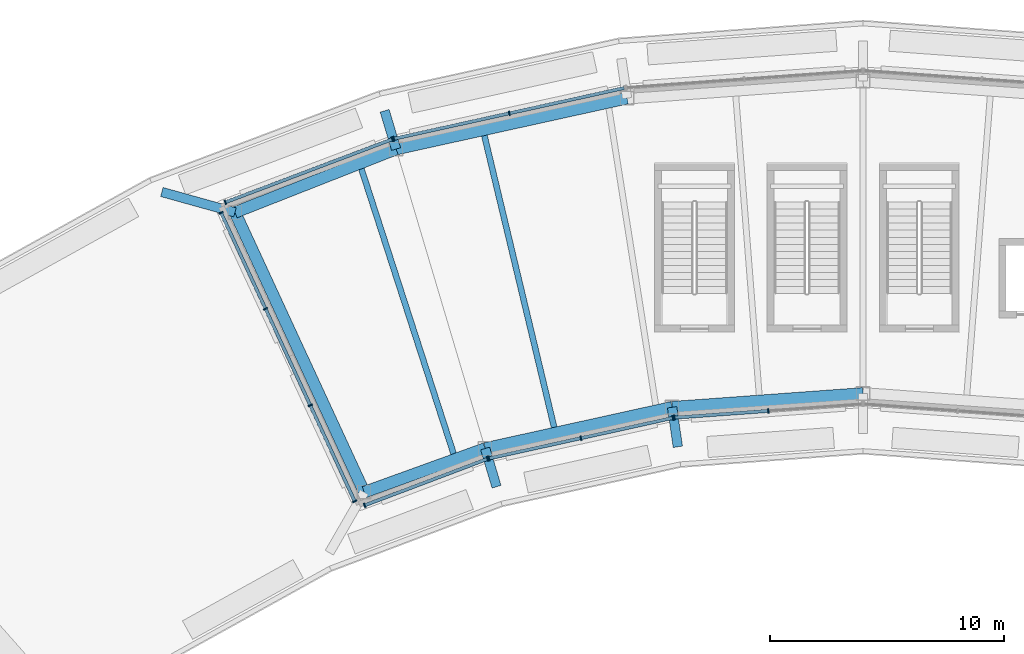
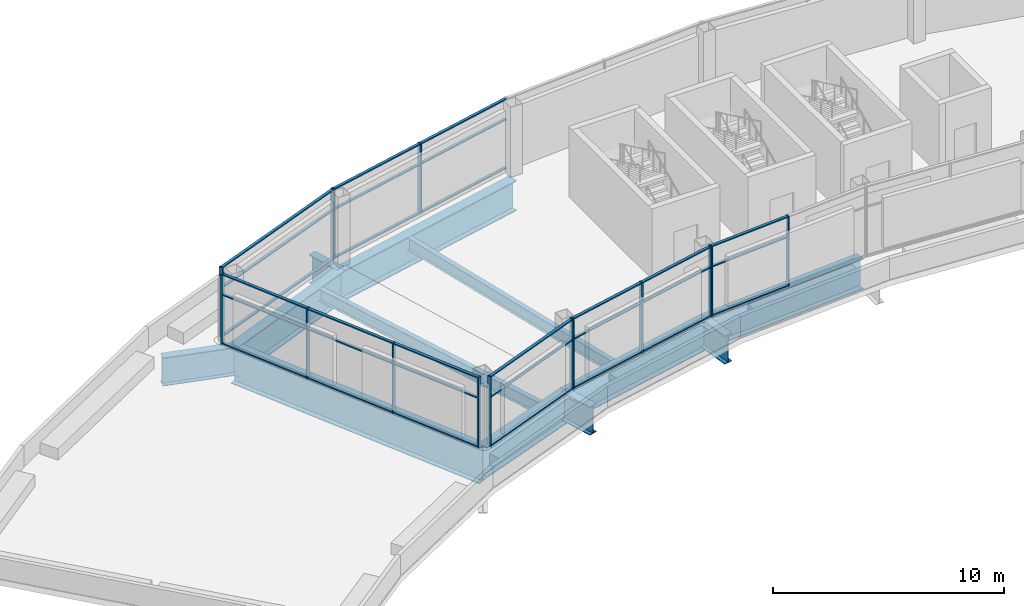
# One storey, part 2 of 9: 45 members, 12 beams, 6 elements without a shape of their own.
"""IFC4 building model written with IfcOpenShell, lengths in metres."""

from ifc_helpers import new_model, si_unit, direction, frame, origin, origin_2d, place, context, subcontext, project, spatial, rectangle, i_section, extrude, material, layer, layer_set, material_profile, profile_set, type_object, element, aggregate, save


model = new_model("IFC4")

# Units and contexts
model_context = context("Model", 3, precision=1e-05, world=origin(), true_north=direction((0.0, 1.0)))
body_context = subcontext(model_context, "Body", "Model", "MODEL_VIEW")
ifc_project = project(units=[si_unit("LENGTHUNIT", "METRE"), si_unit("AREAUNIT", "SQUARE_METRE"), si_unit("VOLUMEUNIT", "CUBIC_METRE"), si_unit("PLANEANGLEUNIT", "RADIAN"), si_unit("MASSUNIT", "GRAM", prefix="KILO")], contexts=[model_context])

# Site, building, storey
site_placement = place(None, origin())
site = spatial("IfcSite", under=ifc_project, at=site_placement, CompositionType="ELEMENT")
building_placement = place(site_placement, origin())
building = spatial("IfcBuilding", under=site, at=building_placement, Name="Tuul Gate Civic Tower", CompositionType="ELEMENT")
storey_placement = place(building_placement, frame((0.0, 0.0, 368.10009765625)))
storey = spatial("IfcBuildingStorey", under=building, at=storey_placement, Name="Crown tier 2 lower", CompositionType="ELEMENT", Elevation=368.10009765625)

# Curtain wall, members
ifc_material_1 = material(Name="Aluminium", Category="aluminium")
ifc_layer = layer(ifc_material_1, 0.199951171875)
ifc_layer_set = layer_set([ifc_layer], Name="Aluminium")
curtain_wall_type = type_object("IfcCurtainWallType", Name="Curtain wall CW5", PredefinedType="NOTDEFINED", material=ifc_layer_set)
curtain_wall_1_placement = place(storey_placement, origin())
curtain_wall_1 = element("IfcCurtainWall", 1, at=curtain_wall_1_placement, inside=storey, type_object=curtain_wall_type, Name="Curtain wall CW5", PredefinedType="NOTDEFINED")
ifc_material_2 = material(Name="Aluminium", Category="aluminium")
ifc_material_profile_1 = material_profile(ifc_material_2, rectangle(XDim=0.199951171875, YDim=0.06005859375, at=origin_2d()), Name="CW5 mullion")
ifc_profile_set_1 = profile_set([ifc_material_profile_1], Name="Aluminium")
member_type_1 = type_object("IfcMemberType", Name="CW5 mullion", PredefinedType="MULLION", material=ifc_profile_set_1)
member_1_placement = place(storey_placement, frame((-12.906982421875, 8.4404296875, 0.0), z_axis=(0.0, 0.0, 1.0), x_axis=(0.215210934562, -0.976567587853, 0.0)))
member_1 = element("IfcMember", 2, at=member_1_placement, type_object=member_type_1, Name="Mullion", PredefinedType="MULLION", context=body_context, shape_type="SweptSolid", body=[
    extrude(rectangle(XDim=0.199951171875, YDim=0.06005859375, at=origin_2d()), origin(), (0.0, 0.0, 1.0), 3.699951171875),
])
member_2_placement = place(storey_placement, frame((-17.839599609375, 7.353515625, 0.0), z_axis=(0.0, 0.0, 1.0), x_axis=(0.215210934562, -0.976567587853, 0.0)))
member_2 = element("IfcMember", 3, at=member_2_placement, type_object=member_type_1, Name="Mullion", PredefinedType="MULLION", context=body_context, shape_type="SweptSolid", body=[
    extrude(rectangle(XDim=0.199951171875, YDim=0.06005859375, at=origin_2d()), origin(), (0.0, 0.0, 1.0), 3.699951171875),
])

curtain_wall_2_placement = place(storey_placement, origin())
curtain_wall_2 = element("IfcCurtainWall", 4, at=curtain_wall_2_placement, inside=storey, type_object=curtain_wall_type, Name="Curtain wall CW5", PredefinedType="NOTDEFINED")
member_3_placement = place(storey_placement, frame((-17.89697265625, 7.33642578125, 0.0), z_axis=(0.0, 0.0, 1.0), x_axis=(0.353645993643, -0.935379340792, 0.0)))
member_3 = element("IfcMember", 5, at=member_3_placement, type_object=member_type_1, Name="Mullion", PredefinedType="MULLION", context=body_context, shape_type="SweptSolid", body=[
    extrude(rectangle(XDim=0.199951171875, YDim=0.06005859375, at=origin_2d()), origin(), (0.0, 0.0, 1.0), 3.699951171875),
])
member_4_placement = place(storey_placement, frame((-25.030029296875, 4.6396484375, 0.0), z_axis=(0.0, 0.0, 1.0), x_axis=(0.353645993643, -0.935379340792, 0.0)))
member_4 = element("IfcMember", 6, at=member_4_placement, type_object=member_type_1, Name="Mullion", PredefinedType="MULLION", context=body_context, shape_type="SweptSolid", body=[
    extrude(rectangle(XDim=0.199951171875, YDim=0.06005859375, at=origin_2d()), origin(), (0.0, 0.0, 1.0), 3.699951171875),
])

curtain_wall_3_placement = place(storey_placement, origin())
curtain_wall_3 = element("IfcCurtainWall", 7, at=curtain_wall_3_placement, inside=storey, type_object=curtain_wall_type, Name="Curtain wall CW5", PredefinedType="NOTDEFINED")
member_5_placement = place(storey_placement, frame((-25.21142578125, 4.19482421875, 0.0), z_axis=(0.0, 0.0, 1.0), x_axis=(0.90734881659, 0.420378549682, 0.0)))
member_5 = element("IfcMember", 8, at=member_5_placement, type_object=member_type_1, Name="Mullion", PredefinedType="MULLION", context=body_context, shape_type="SweptSolid", body=[
    extrude(rectangle(XDim=0.199951171875, YDim=0.06005859375, at=origin_2d()), origin(), (0.0, 0.0, 1.0), 3.699951171875),
])
member_6_placement = place(storey_placement, frame((-23.313232421875, 0.097900390625, 0.0), z_axis=(0.0, 0.0, 1.0), x_axis=(0.90734881659, 0.420378549682, 0.0)))
member_6 = element("IfcMember", 9, at=member_6_placement, type_object=member_type_1, Name="Mullion", PredefinedType="MULLION", context=body_context, shape_type="SweptSolid", body=[
    extrude(rectangle(XDim=0.199951171875, YDim=0.06005859375, at=origin_2d()), origin(), (0.0, 0.0, 1.0), 3.699951171875),
])
member_7_placement = place(storey_placement, frame((-21.402587890625, -4.02587890625, 0.0), z_axis=(0.0, 0.0, 1.0), x_axis=(0.90734881659, 0.420378549682, 0.0)))
member_7 = element("IfcMember", 10, at=member_7_placement, type_object=member_type_1, Name="Mullion", PredefinedType="MULLION", context=body_context, shape_type="SweptSolid", body=[
    extrude(rectangle(XDim=0.199951171875, YDim=0.06005859375, at=origin_2d()), origin(), (0.0, 0.0, 1.0), 3.699951171875),
])
member_8_placement = place(storey_placement, frame((-19.504638671875, -8.122802734375, 0.0), z_axis=(0.0, 0.0, 1.0), x_axis=(0.90734881659, 0.420378549682, 0.0)))
member_8 = element("IfcMember", 11, at=member_8_placement, type_object=member_type_1, Name="Mullion", PredefinedType="MULLION", context=body_context, shape_type="SweptSolid", body=[
    extrude(rectangle(XDim=0.199951171875, YDim=0.06005859375, at=origin_2d()), origin(), (0.0, 0.0, 1.0), 3.699951171875),
])

curtain_wall_4_placement = place(storey_placement, origin())
curtain_wall_4 = element("IfcCurtainWall", 12, at=curtain_wall_4_placement, inside=storey, type_object=curtain_wall_type, Name="Curtain wall CW5", PredefinedType="NOTDEFINED")
member_9_placement = place(storey_placement, frame((-19.0859375, -8.29443359375, 0.0), z_axis=(0.0, 0.0, 1.0), x_axis=(-0.353692000454, 0.935361945353, 0.0)))
member_9 = element("IfcMember", 13, at=member_9_placement, type_object=member_type_1, Name="Mullion", PredefinedType="MULLION", context=body_context, shape_type="SweptSolid", body=[
    extrude(rectangle(XDim=0.199951171875, YDim=0.06005859375, at=origin_2d()), origin(), (0.0, 0.0, 1.0), 3.699951171875),
])
member_10_placement = place(storey_placement, frame((-13.837158203125, -6.3095703125, 0.0), z_axis=(0.0, 0.0, 1.0), x_axis=(-0.353692000454, 0.935361945353, 0.0)))
member_10 = element("IfcMember", 14, at=member_10_placement, type_object=member_type_1, Name="Mullion", PredefinedType="MULLION", context=body_context, shape_type="SweptSolid", body=[
    extrude(rectangle(XDim=0.199951171875, YDim=0.06005859375, at=origin_2d()), origin(), (0.0, 0.0, 1.0), 3.699951171875),
])

curtain_wall_5_placement = place(storey_placement, origin())
curtain_wall_5 = element("IfcCurtainWall", 15, at=curtain_wall_5_placement, inside=storey, type_object=curtain_wall_type, Name="Curtain wall CW5", PredefinedType="NOTDEFINED")
member_11_placement = place(storey_placement, frame((-13.77978515625, -6.29248046875, 0.0), z_axis=(0.0, 0.0, 1.0), x_axis=(-0.215271253351, 0.976554293156, 0.0)))
member_11 = element("IfcMember", 16, at=member_11_placement, type_object=member_type_1, Name="Mullion", PredefinedType="MULLION", context=body_context, shape_type="SweptSolid", body=[
    extrude(rectangle(XDim=0.199951171875, YDim=0.06005859375, at=origin_2d()), origin(), (0.0, 0.0, 1.0), 3.699951171875),
])
member_12_placement = place(storey_placement, frame((-9.85107421875, -5.426513671875, 0.0), z_axis=(0.0, 0.0, 1.0), x_axis=(-0.215271253351, 0.976554293156, 0.0)))
member_12 = element("IfcMember", 17, at=member_12_placement, type_object=member_type_1, Name="Mullion", PredefinedType="MULLION", context=body_context, shape_type="SweptSolid", body=[
    extrude(rectangle(XDim=0.199951171875, YDim=0.06005859375, at=origin_2d()), origin(), (0.0, 0.0, 1.0), 3.699951171875),
])
member_13_placement = place(storey_placement, frame((-5.92236328125, -4.560546875, 0.0), z_axis=(0.0, 0.0, 1.0), x_axis=(-0.215271253351, 0.976554293156, 0.0)))
member_13 = element("IfcMember", 18, at=member_13_placement, type_object=member_type_1, Name="Mullion", PredefinedType="MULLION", context=body_context, shape_type="SweptSolid", body=[
    extrude(rectangle(XDim=0.199951171875, YDim=0.06005859375, at=origin_2d()), origin(), (0.0, 0.0, 1.0), 3.699951171875),
])

curtain_wall_6_placement = place(storey_placement, origin())
curtain_wall_6 = element("IfcCurtainWall", 19, at=curtain_wall_6_placement, inside=storey, type_object=curtain_wall_type, Name="Curtain wall CW5", PredefinedType="NOTDEFINED")
member_14_placement = place(storey_placement, frame((-5.863037109375, -4.5517578125, 0.0), z_axis=(0.0, 0.0, 1.0), x_axis=(-0.072167548057, 0.997392523036, 0.0)))
member_14 = element("IfcMember", 20, at=member_14_placement, type_object=member_type_1, Name="Mullion", PredefinedType="MULLION", context=body_context, shape_type="SweptSolid", body=[
    extrude(rectangle(XDim=0.199951171875, YDim=0.06005859375, at=origin_2d()), origin(), (0.0, 0.0, 1.0), 3.699951171875),
])
member_15_placement = place(storey_placement, frame((-1.8505859375, -4.261474609375, 0.0), z_axis=(0.0, 0.0, 1.0), x_axis=(-0.072167548057, 0.997392523036, 0.0)))
member_15 = element("IfcMember", 21, at=member_15_placement, type_object=member_type_1, Name="Mullion", PredefinedType="MULLION", context=body_context, shape_type="SweptSolid", body=[
    extrude(rectangle(XDim=0.199951171875, YDim=0.06005859375, at=origin_2d()), origin(), (0.0, 0.0, 1.0), 3.699951171875),
])

# Member
ifc_material_3 = material(Name="Aluminium", Category="aluminium")
ifc_material_profile_2 = material_profile(ifc_material_3, rectangle(XDim=0.139892578125, YDim=0.06005859375, at=origin_2d()), Name="CW5 transom")
ifc_profile_set_2 = profile_set([ifc_material_profile_2], Name="Aluminium")
member_type_2 = type_object("IfcMemberType", Name="CW5 transom", PredefinedType="USERDEFINED", material=ifc_profile_set_2)
member_16_placement = place(storey_placement, frame((-8.003662109375, 9.52099609375, 0.02978515625), z_axis=(-0.976573380509, -0.215184647408, 0.0), x_axis=(0.215184647408, -0.976573380509, 0.0)))
member_16 = element("IfcMember", 22, at=member_16_placement, type_object=member_type_2, Name="Transom", ObjectType="TRANSOM", PredefinedType="USERDEFINED", context=body_context, shape_type="SweptSolid", body=[
    extrude(rectangle(XDim=0.139892578125, YDim=0.06005859375, at=origin_2d()), origin(), (0.0, 0.0, 1.0), 4.990966796875),
])

member_17_placement = place(storey_placement, frame((-8.003662109375, 9.52099609375, 2.599853515625), z_axis=(-0.976573380509, -0.215184647408, 0.0), x_axis=(0.215184647408, -0.976573380509, 0.0)))
member_17 = element("IfcMember", 23, at=member_17_placement, type_object=member_type_2, Name="Transom", ObjectType="TRANSOM", PredefinedType="USERDEFINED", context=body_context, shape_type="SweptSolid", body=[
    extrude(rectangle(XDim=0.139892578125, YDim=0.06005859375, at=origin_2d()), origin(), (0.0, 0.0, 1.0), 4.990966796875),
])

member_18_placement = place(storey_placement, frame((-8.003662109375, 9.52099609375, 3.669921875), z_axis=(-0.976573380509, -0.215184647408, 0.0), x_axis=(0.215184647408, -0.976573380509, 0.0)))
member_18 = element("IfcMember", 24, at=member_18_placement, type_object=member_type_2, Name="Transom", ObjectType="TRANSOM", PredefinedType="USERDEFINED", context=body_context, shape_type="SweptSolid", body=[
    extrude(rectangle(XDim=0.139892578125, YDim=0.06005859375, at=origin_2d()), origin(), (0.0, 0.0, 1.0), 4.990966796875),
])

member_19_placement = place(storey_placement, frame((-12.936279296875, 8.43408203125, 0.02978515625), z_axis=(-0.976563099968, -0.21523129833, 0.0), x_axis=(0.21523129833, -0.976563099968, 0.0)))
member_19 = element("IfcMember", 25, at=member_19_placement, type_object=member_type_2, Name="Transom", ObjectType="TRANSOM", PredefinedType="USERDEFINED", context=body_context, shape_type="SweptSolid", body=[
    extrude(rectangle(XDim=0.139892578125, YDim=0.06005859375, at=origin_2d()), origin(), (0.0, 0.0, 1.0), 4.990966796875),
])

member_20_placement = place(storey_placement, frame((-12.936279296875, 8.43408203125, 2.599853515625), z_axis=(-0.976563099968, -0.21523129833, 0.0), x_axis=(0.21523129833, -0.976563099968, 0.0)))
member_20 = element("IfcMember", 26, at=member_20_placement, type_object=member_type_2, Name="Transom", ObjectType="TRANSOM", PredefinedType="USERDEFINED", context=body_context, shape_type="SweptSolid", body=[
    extrude(rectangle(XDim=0.139892578125, YDim=0.06005859375, at=origin_2d()), origin(), (0.0, 0.0, 1.0), 4.990966796875),
])

member_21_placement = place(storey_placement, frame((-12.936279296875, 8.43408203125, 3.669921875), z_axis=(-0.976563099968, -0.21523129833, 0.0), x_axis=(0.21523129833, -0.976563099968, 0.0)))
member_21 = element("IfcMember", 27, at=member_21_placement, type_object=member_type_2, Name="Transom", ObjectType="TRANSOM", PredefinedType="USERDEFINED", context=body_context, shape_type="SweptSolid", body=[
    extrude(rectangle(XDim=0.139892578125, YDim=0.06005859375, at=origin_2d()), origin(), (0.0, 0.0, 1.0), 4.990966796875),
])

aggregate(curtain_wall_1, [member_1, member_2, member_16, member_17, member_18, member_19, member_20, member_21])

member_22_placement = place(storey_placement, frame((-17.925048828125, 7.32568359375, 0.02978515625), z_axis=(-0.935382926589, -0.35363650921, 0.0), x_axis=(0.35363650921, -0.935382926589, 0.0)))
member_22 = element("IfcMember", 28, at=member_22_placement, type_object=member_type_2, Name="Transom", ObjectType="TRANSOM", PredefinedType="USERDEFINED", context=body_context, shape_type="SweptSolid", body=[
    extrude(rectangle(XDim=0.139892578125, YDim=0.06005859375, at=origin_2d()), origin(), (0.0, 0.0, 1.0), 7.565673828125),
])

member_23_placement = place(storey_placement, frame((-17.925048828125, 7.32568359375, 2.599853515625), z_axis=(-0.935382926589, -0.35363650921, 0.0), x_axis=(0.35363650921, -0.935382926589, 0.0)))
member_23 = element("IfcMember", 29, at=member_23_placement, type_object=member_type_2, Name="Transom", ObjectType="TRANSOM", PredefinedType="USERDEFINED", context=body_context, shape_type="SweptSolid", body=[
    extrude(rectangle(XDim=0.139892578125, YDim=0.06005859375, at=origin_2d()), origin(), (0.0, 0.0, 1.0), 7.565673828125),
])

member_24_placement = place(storey_placement, frame((-17.925048828125, 7.32568359375, 3.669921875), z_axis=(-0.935382926589, -0.35363650921, 0.0), x_axis=(0.35363650921, -0.935382926589, 0.0)))
member_24 = element("IfcMember", 30, at=member_24_placement, type_object=member_type_2, Name="Transom", ObjectType="TRANSOM", PredefinedType="USERDEFINED", context=body_context, shape_type="SweptSolid", body=[
    extrude(rectangle(XDim=0.139892578125, YDim=0.06005859375, at=origin_2d()), origin(), (0.0, 0.0, 1.0), 7.565673828125),
])

aggregate(curtain_wall_2, [member_3, member_4, member_22, member_23, member_24])

member_25_placement = place(storey_placement, frame((-25.19873046875, 4.16748046875, 0.02978515625), z_axis=(0.420381787955, -0.907347316278, 0.0), x_axis=(0.907347316278, 0.420381787955, 0.0)))
member_25 = element("IfcMember", 31, at=member_25_placement, type_object=member_type_2, Name="Transom", ObjectType="TRANSOM", PredefinedType="USERDEFINED", context=body_context, shape_type="SweptSolid", body=[
    extrude(rectangle(XDim=0.139892578125, YDim=0.06005859375, at=origin_2d()), origin(), (0.0, 0.0, 1.0), 4.455078125),
])

member_26_placement = place(storey_placement, frame((-25.19873046875, 4.16748046875, 2.599853515625), z_axis=(0.420381787955, -0.907347316278, 0.0), x_axis=(0.907347316278, 0.420381787955, 0.0)))
member_26 = element("IfcMember", 32, at=member_26_placement, type_object=member_type_2, Name="Transom", ObjectType="TRANSOM", PredefinedType="USERDEFINED", context=body_context, shape_type="SweptSolid", body=[
    extrude(rectangle(XDim=0.139892578125, YDim=0.06005859375, at=origin_2d()), origin(), (0.0, 0.0, 1.0), 4.455078125),
])

member_27_placement = place(storey_placement, frame((-25.19873046875, 4.16748046875, 3.669921875), z_axis=(0.420381787955, -0.907347316278, 0.0), x_axis=(0.907347316278, 0.420381787955, 0.0)))
member_27 = element("IfcMember", 33, at=member_27_placement, type_object=member_type_2, Name="Transom", ObjectType="TRANSOM", PredefinedType="USERDEFINED", context=body_context, shape_type="SweptSolid", body=[
    extrude(rectangle(XDim=0.139892578125, YDim=0.06005859375, at=origin_2d()), origin(), (0.0, 0.0, 1.0), 4.455078125),
])

member_28_placement = place(storey_placement, frame((-23.30078125, 0.07080078125, 0.02978515625), z_axis=(0.420386692356, -0.90734504401, 0.0), x_axis=(0.90734504401, 0.420386692356, 0.0)))
member_28 = element("IfcMember", 34, at=member_28_placement, type_object=member_type_2, Name="Transom", ObjectType="TRANSOM", PredefinedType="USERDEFINED", context=body_context, shape_type="SweptSolid", body=[
    extrude(rectangle(XDim=0.139892578125, YDim=0.06005859375, at=origin_2d()), origin(), (0.0, 0.0, 1.0), 4.485107421875),
])

member_29_placement = place(storey_placement, frame((-23.30078125, 0.07080078125, 2.599853515625), z_axis=(0.420386692356, -0.90734504401, 0.0), x_axis=(0.90734504401, 0.420386692356, 0.0)))
member_29 = element("IfcMember", 35, at=member_29_placement, type_object=member_type_2, Name="Transom", ObjectType="TRANSOM", PredefinedType="USERDEFINED", context=body_context, shape_type="SweptSolid", body=[
    extrude(rectangle(XDim=0.139892578125, YDim=0.06005859375, at=origin_2d()), origin(), (0.0, 0.0, 1.0), 4.485107421875),
])

member_30_placement = place(storey_placement, frame((-23.30078125, 0.07080078125, 3.669921875), z_axis=(0.420386692356, -0.90734504401, 0.0), x_axis=(0.90734504401, 0.420386692356, 0.0)))
member_30 = element("IfcMember", 36, at=member_30_placement, type_object=member_type_2, Name="Transom", ObjectType="TRANSOM", PredefinedType="USERDEFINED", context=body_context, shape_type="SweptSolid", body=[
    extrude(rectangle(XDim=0.139892578125, YDim=0.06005859375, at=origin_2d()), origin(), (0.0, 0.0, 1.0), 4.485107421875),
])

member_31_placement = place(storey_placement, frame((-21.39013671875, -4.05322265625, 0.02978515625), z_axis=(0.420381787955, -0.907347316278, 0.0), x_axis=(0.907347316278, 0.420381787955, 0.0)))
member_31 = element("IfcMember", 37, at=member_31_placement, type_object=member_type_2, Name="Transom", ObjectType="TRANSOM", PredefinedType="USERDEFINED", context=body_context, shape_type="SweptSolid", body=[
    extrude(rectangle(XDim=0.139892578125, YDim=0.06005859375, at=origin_2d()), origin(), (0.0, 0.0, 1.0), 4.455078125),
])

member_32_placement = place(storey_placement, frame((-21.39013671875, -4.05322265625, 2.599853515625), z_axis=(0.420381787955, -0.907347316278, 0.0), x_axis=(0.907347316278, 0.420381787955, 0.0)))
member_32 = element("IfcMember", 38, at=member_32_placement, type_object=member_type_2, Name="Transom", ObjectType="TRANSOM", PredefinedType="USERDEFINED", context=body_context, shape_type="SweptSolid", body=[
    extrude(rectangle(XDim=0.139892578125, YDim=0.06005859375, at=origin_2d()), origin(), (0.0, 0.0, 1.0), 4.455078125),
])

member_33_placement = place(storey_placement, frame((-21.39013671875, -4.05322265625, 3.669921875), z_axis=(0.420381787955, -0.907347316278, 0.0), x_axis=(0.907347316278, 0.420381787955, 0.0)))
member_33 = element("IfcMember", 39, at=member_33_placement, type_object=member_type_2, Name="Transom", ObjectType="TRANSOM", PredefinedType="USERDEFINED", context=body_context, shape_type="SweptSolid", body=[
    extrude(rectangle(XDim=0.139892578125, YDim=0.06005859375, at=origin_2d()), origin(), (0.0, 0.0, 1.0), 4.455078125),
])

aggregate(curtain_wall_3, [member_5, member_6, member_7, member_8, member_25, member_26, member_27, member_28, member_29, member_30, member_31, member_32, member_33])

member_34_placement = place(storey_placement, frame((-19.057861328125, -8.28369140625, 0.02978515625), z_axis=(0.935369635265, 0.353671663304, 0.0), x_axis=(-0.353671663304, 0.935369635265, 0.0)))
member_34 = element("IfcMember", 40, at=member_34_placement, type_object=member_type_2, Name="Transom", ObjectType="TRANSOM", PredefinedType="USERDEFINED", context=body_context, shape_type="SweptSolid", body=[
    extrude(rectangle(XDim=0.139892578125, YDim=0.06005859375, at=origin_2d()), origin(), (0.0, 0.0, 1.0), 5.551513671875),
])

member_35_placement = place(storey_placement, frame((-19.057861328125, -8.28369140625, 2.599853515625), z_axis=(0.935369635265, 0.353671663304, 0.0), x_axis=(-0.353671663304, 0.935369635265, 0.0)))
member_35 = element("IfcMember", 41, at=member_35_placement, type_object=member_type_2, Name="Transom", ObjectType="TRANSOM", PredefinedType="USERDEFINED", context=body_context, shape_type="SweptSolid", body=[
    extrude(rectangle(XDim=0.139892578125, YDim=0.06005859375, at=origin_2d()), origin(), (0.0, 0.0, 1.0), 5.551513671875),
])

member_36_placement = place(storey_placement, frame((-19.057861328125, -8.28369140625, 3.669921875), z_axis=(0.935369635265, 0.353671663304, 0.0), x_axis=(-0.353671663304, 0.935369635265, 0.0)))
member_36 = element("IfcMember", 42, at=member_36_placement, type_object=member_type_2, Name="Transom", ObjectType="TRANSOM", PredefinedType="USERDEFINED", context=body_context, shape_type="SweptSolid", body=[
    extrude(rectangle(XDim=0.139892578125, YDim=0.06005859375, at=origin_2d()), origin(), (0.0, 0.0, 1.0), 5.551513671875),
])

aggregate(curtain_wall_4, [member_9, member_10, member_34, member_35, member_36])

member_37_placement = place(storey_placement, frame((-13.75048828125, -6.2861328125, 0.02978515625), z_axis=(0.976546636017, 0.215305986177, 0.0), x_axis=(-0.215305986177, 0.976546636017, 0.0)))
member_37 = element("IfcMember", 43, at=member_37_placement, type_object=member_type_2, Name="Transom", ObjectType="TRANSOM", PredefinedType="USERDEFINED", context=body_context, shape_type="SweptSolid", body=[
    extrude(rectangle(XDim=0.139892578125, YDim=0.06005859375, at=origin_2d()), origin(), (0.0, 0.0, 1.0), 3.963134765625),
])

member_38_placement = place(storey_placement, frame((-13.75048828125, -6.2861328125, 2.599853515625), z_axis=(0.976546636017, 0.215305986177, 0.0), x_axis=(-0.215305986177, 0.976546636017, 0.0)))
member_38 = element("IfcMember", 44, at=member_38_placement, type_object=member_type_2, Name="Transom", ObjectType="TRANSOM", PredefinedType="USERDEFINED", context=body_context, shape_type="SweptSolid", body=[
    extrude(rectangle(XDim=0.139892578125, YDim=0.06005859375, at=origin_2d()), origin(), (0.0, 0.0, 1.0), 3.963134765625),
])

member_39_placement = place(storey_placement, frame((-13.75048828125, -6.2861328125, 3.669921875), z_axis=(0.976546636017, 0.215305986177, 0.0), x_axis=(-0.215305986177, 0.976546636017, 0.0)))
member_39 = element("IfcMember", 45, at=member_39_placement, type_object=member_type_2, Name="Transom", ObjectType="TRANSOM", PredefinedType="USERDEFINED", context=body_context, shape_type="SweptSolid", body=[
    extrude(rectangle(XDim=0.139892578125, YDim=0.06005859375, at=origin_2d()), origin(), (0.0, 0.0, 1.0), 3.963134765625),
])

member_40_placement = place(storey_placement, frame((-9.82177734375, -5.419921875, 0.02978515625), z_axis=(0.976559587053, 0.215247236763, 0.0), x_axis=(-0.215247236763, 0.976559587053, 0.0)))
member_40 = element("IfcMember", 46, at=member_40_placement, type_object=member_type_2, Name="Transom", ObjectType="TRANSOM", PredefinedType="USERDEFINED", context=body_context, shape_type="SweptSolid", body=[
    extrude(rectangle(XDim=0.139892578125, YDim=0.06005859375, at=origin_2d()), origin(), (0.0, 0.0, 1.0), 3.962890625),
])

member_41_placement = place(storey_placement, frame((-9.82177734375, -5.419921875, 2.599853515625), z_axis=(0.976559587053, 0.215247236763, 0.0), x_axis=(-0.215247236763, 0.976559587053, 0.0)))
member_41 = element("IfcMember", 47, at=member_41_placement, type_object=member_type_2, Name="Transom", ObjectType="TRANSOM", PredefinedType="USERDEFINED", context=body_context, shape_type="SweptSolid", body=[
    extrude(rectangle(XDim=0.139892578125, YDim=0.06005859375, at=origin_2d()), origin(), (0.0, 0.0, 1.0), 3.962890625),
])

member_42_placement = place(storey_placement, frame((-9.82177734375, -5.419921875, 3.669921875), z_axis=(0.976559587053, 0.215247236763, 0.0), x_axis=(-0.215247236763, 0.976559587053, 0.0)))
member_42 = element("IfcMember", 48, at=member_42_placement, type_object=member_type_2, Name="Transom", ObjectType="TRANSOM", PredefinedType="USERDEFINED", context=body_context, shape_type="SweptSolid", body=[
    extrude(rectangle(XDim=0.139892578125, YDim=0.06005859375, at=origin_2d()), origin(), (0.0, 0.0, 1.0), 3.962890625),
])

aggregate(curtain_wall_5, [member_11, member_12, member_13, member_37, member_38, member_39, member_40, member_41, member_42])

member_43_placement = place(storey_placement, frame((-5.833251953125, -4.549560546875, 0.02978515625), z_axis=(0.997394825936, 0.07213571374, 0.0), x_axis=(-0.07213571374, 0.997394825936, 0.0)))
member_43 = element("IfcMember", 49, at=member_43_placement, type_object=member_type_2, Name="Transom", ObjectType="TRANSOM", PredefinedType="USERDEFINED", context=body_context, shape_type="SweptSolid", body=[
    extrude(rectangle(XDim=0.139892578125, YDim=0.06005859375, at=origin_2d()), origin(), (0.0, 0.0, 1.0), 3.963134765625),
])

member_44_placement = place(storey_placement, frame((-5.833251953125, -4.549560546875, 2.599853515625), z_axis=(0.997394825936, 0.07213571374, 0.0), x_axis=(-0.07213571374, 0.997394825936, 0.0)))
member_44 = element("IfcMember", 50, at=member_44_placement, type_object=member_type_2, Name="Transom", ObjectType="TRANSOM", PredefinedType="USERDEFINED", context=body_context, shape_type="SweptSolid", body=[
    extrude(rectangle(XDim=0.139892578125, YDim=0.06005859375, at=origin_2d()), origin(), (0.0, 0.0, 1.0), 3.963134765625),
])

member_45_placement = place(storey_placement, frame((-5.833251953125, -4.549560546875, 3.669921875), z_axis=(0.997394825936, 0.07213571374, 0.0), x_axis=(-0.07213571374, 0.997394825936, 0.0)))
member_45 = element("IfcMember", 51, at=member_45_placement, type_object=member_type_2, Name="Transom", ObjectType="TRANSOM", PredefinedType="USERDEFINED", context=body_context, shape_type="SweptSolid", body=[
    extrude(rectangle(XDim=0.139892578125, YDim=0.06005859375, at=origin_2d()), origin(), (0.0, 0.0, 1.0), 3.963134765625),
])

aggregate(curtain_wall_6, [member_14, member_15, member_43, member_44, member_45])

# Beams
ifc_material_4 = material(Name="Steel S355", Category="steel")
ifc_material_profile_3 = material_profile(ifc_material_4, i_section(OverallWidth=0.39990234375, OverallDepth=1.5, WebThickness=0.02490234375, FlangeThickness=0.0400390625, at=origin_2d()), Name="PG1500x400x25x40")
ifc_profile_set_3 = profile_set([ifc_material_profile_3], Name="Steel S355")
beam_type_1 = type_object("IfcBeamType", Name="STR-FLOOR BEAM-PG1500x400x25x40", PredefinedType="BEAM", material=ifc_profile_set_3)
beam_1_placement = place(storey_placement, frame((-18.2275390625, 8.548583984375, -1.050048828125), z_axis=(0.285311520482, -0.958434836742, 0.0), x_axis=(0.958434836742, 0.285311520482, 0.0)))
element("IfcBeam", 52, at=beam_1_placement, inside=storey, type_object=beam_type_1, Name="Ring girder stub", PredefinedType="BEAM", context=body_context, shape_type="SweptSolid", body=[
    extrude(i_section(OverallWidth=0.39990234375, OverallDepth=1.5, WebThickness=0.02490234375, FlangeThickness=0.0400390625, at=origin_2d()), origin(), (0.0, 0.0, 1.0), 1.705322265625),
])
beam_2_placement = place(storey_placement, frame((-27.739990234375, 5.08154296875, -1.050048828125), z_axis=(0.96332772163, -0.26832759966, 0.0), x_axis=(0.26832759966, 0.96332772163, 0.0)))
element("IfcBeam", 53, at=beam_2_placement, inside=storey, type_object=beam_type_1, Name="Ring girder stub", PredefinedType="BEAM", context=body_context, shape_type="SweptSolid", body=[
    extrude(i_section(OverallWidth=0.39990234375, OverallDepth=1.5, WebThickness=0.02490234375, FlangeThickness=0.0400390625, at=origin_2d()), origin(), (0.0, 0.0, 1.0), 3.240966796875),
])
beam_3_placement = place(storey_placement, frame((-13.45166015625, -7.50048828125, -1.050048828125), z_axis=(-0.28533661807, 0.958427365213, 0.0), x_axis=(-0.958427365213, -0.28533661807, 0.0)))
element("IfcBeam", 54, at=beam_3_placement, inside=storey, type_object=beam_type_1, Name="Ring girder stub", PredefinedType="BEAM", context=body_context, shape_type="SweptSolid", body=[
    extrude(i_section(OverallWidth=0.39990234375, OverallDepth=1.5, WebThickness=0.02490234375, FlangeThickness=0.0400390625, at=origin_2d()), origin(), (0.0, 0.0, 1.0), 1.704345703125),
])
beam_4_placement = place(storey_placement, frame((-5.712158203125, -5.795166015625, -1.050048828125), z_axis=(-0.144187135208, 0.989550438351, 0.0), x_axis=(-0.989550438351, -0.144187135208, 0.0)))
element("IfcBeam", 55, at=beam_4_placement, inside=storey, type_object=beam_type_1, Name="Ring girder stub", PredefinedType="BEAM", context=body_context, shape_type="SweptSolid", body=[
    extrude(i_section(OverallWidth=0.39990234375, OverallDepth=1.5, WebThickness=0.02490234375, FlangeThickness=0.0400390625, at=origin_2d()), origin(), (0.0, 0.0, 1.0), 1.705078125),
])
ifc_material_5 = material(Name="Steel S355", Category="steel")
ifc_material_profile_4 = material_profile(ifc_material_5, i_section(OverallWidth=0.25, OverallDepth=0.64990234375, WebThickness=0.011962890625, FlangeThickness=0.02001953125, at=origin_2d()), Name="PG650x250x12x20")
ifc_profile_set_4 = profile_set([ifc_material_profile_4], Name="Steel S355")
beam_type_2 = type_object("IfcBeamType", Name="STR-FLOOR BEAM-PG650x250x12x20", PredefinedType="BEAM", material=ifc_profile_set_4)
beam_5_placement = place(storey_placement, frame((-10.99267578125, -4.961669921875, -0.625), z_axis=(-0.232678308088, 0.97255375427, 0.0), x_axis=(-0.97255375427, -0.232678308088, 0.0)))
element("IfcBeam", 56, at=beam_5_placement, inside=storey, type_object=beam_type_2, Name="Floor beam", PredefinedType="BEAM", context=body_context, shape_type="SweptSolid", body=[
    extrude(i_section(OverallWidth=0.25, OverallDepth=0.64990234375, WebThickness=0.011962890625, FlangeThickness=0.02001953125, at=origin_2d()), origin(), (0.0, 0.0, 1.0), 12.802001953125),
])
beam_6_placement = place(storey_placement, frame((-15.285400390625, -6.088134765625, -0.625), z_axis=(-0.308005003095, 0.951384737143, 0.0), x_axis=(-0.951384737143, -0.308005003095, 0.0)))
element("IfcBeam", 57, at=beam_6_placement, inside=storey, type_object=beam_type_2, Name="Floor beam", PredefinedType="BEAM", context=body_context, shape_type="SweptSolid", body=[
    extrude(i_section(OverallWidth=0.25, OverallDepth=0.64990234375, WebThickness=0.011962890625, FlangeThickness=0.02001953125, at=origin_2d()), origin(), (0.0, 0.0, 1.0), 12.773681640625),
])
ifc_material_6 = material(Name="Steel S355", Category="steel")
ifc_material_profile_5 = material_profile(ifc_material_6, i_section(OverallWidth=0.5, OverallDepth=1.60009765625, WebThickness=0.02490234375, FlangeThickness=0.044921875, at=origin_2d()), Name="PG1600x500x25x45")
ifc_profile_set_5 = profile_set([ifc_material_profile_5], Name="Steel S355")
beam_type_3 = type_object("IfcBeamType", Name="STR-RING BEAM-PG1600x500x25x45", PredefinedType="BEAM", material=ifc_profile_set_5)
beam_7_placement = place(storey_placement, frame((-7.8798828125, 9.087890625, -1.10009765625), z_axis=(-0.976553157305, -0.215276405948, 0.0), x_axis=(0.215276405948, -0.976553157305, 0.0)))
element("IfcBeam", 58, at=beam_7_placement, inside=storey, type_object=beam_type_3, Name="Ring girder", PredefinedType="BEAM", context=body_context, shape_type="SweptSolid", body=[
    extrude(i_section(OverallWidth=0.5, OverallDepth=1.60009765625, WebThickness=0.02490234375, FlangeThickness=0.044921875, at=origin_2d()), origin(), (0.0, 0.0, 1.0), 10.097900390625),
])
beam_8_placement = place(storey_placement, frame((-17.740966796875, 6.9140625, -1.10009765625), z_axis=(-0.930729001166, -0.365709620311, 0.0), x_axis=(0.365709620311, -0.930729001166, 0.0)))
element("IfcBeam", 59, at=beam_8_placement, inside=storey, type_object=beam_type_3, Name="Ring girder", PredefinedType="BEAM", context=body_context, shape_type="SweptSolid", body=[
    extrude(i_section(OverallWidth=0.5, OverallDepth=1.60009765625, WebThickness=0.02490234375, FlangeThickness=0.044921875, at=origin_2d()), origin(), (0.0, 0.0, 1.0), 7.388671875),
])
beam_9_placement = place(storey_placement, frame((-19.10107421875, -7.73291015625, -1.10009765625), z_axis=(0.940465472919, 0.339889238203, 0.0), x_axis=(-0.339889238203, 0.940465472919, 0.0)))
element("IfcBeam", 60, at=beam_9_placement, inside=storey, type_object=beam_type_3, Name="Ring girder", PredefinedType="BEAM", context=body_context, shape_type="SweptSolid", body=[
    extrude(i_section(OverallWidth=0.5, OverallDepth=1.60009765625, WebThickness=0.02490234375, FlangeThickness=0.044921875, at=origin_2d()), origin(), (0.0, 0.0, 1.0), 5.489990234375),
])
beam_10_placement = place(storey_placement, frame((-13.93798828125, -5.866943359375, -1.10009765625), z_axis=(0.976556110089, 0.215263010867, 0.0), x_axis=(-0.215263010867, 0.976556110089, 0.0)))
element("IfcBeam", 61, at=beam_10_placement, inside=storey, type_object=beam_type_3, Name="Ring girder", PredefinedType="BEAM", context=body_context, shape_type="SweptSolid", body=[
    extrude(i_section(OverallWidth=0.5, OverallDepth=1.60009765625, WebThickness=0.02490234375, FlangeThickness=0.044921875, at=origin_2d()), origin(), (0.0, 0.0, 1.0), 8.171630859375),
])
beam_11_placement = place(storey_placement, frame((-5.9580078125, -4.10791015625, -1.10009765625), z_axis=(0.997391222135, 0.072185524914, 0.0), x_axis=(-0.072185524914, 0.997391222135, 0.0)))
element("IfcBeam", 62, at=beam_11_placement, inside=storey, type_object=beam_type_3, Name="Ring girder", PredefinedType="BEAM", context=body_context, shape_type="SweptSolid", body=[
    extrude(i_section(OverallWidth=0.5, OverallDepth=1.60009765625, WebThickness=0.02490234375, FlangeThickness=0.044921875, at=origin_2d()), origin(), (0.0, 0.0, 1.0), 8.171142578125),
])
ifc_material_7 = material(Name="Steel S355", Category="steel")
ifc_material_profile_6 = material_profile(ifc_material_7, i_section(OverallWidth=0.5, OverallDepth=1.89990234375, WebThickness=0.02490234375, FlangeThickness=0.0400390625, at=origin_2d()), Name="PG1900x500x25x40")
ifc_profile_set_6 = profile_set([ifc_material_profile_6], Name="Steel S355")
beam_type_4 = type_object("IfcBeamType", Name="STR-RING BEAM-PG1900x500x25x40", PredefinedType="BEAM", material=ifc_profile_set_6)
beam_12_placement = place(storey_placement, frame((-24.617919921875, 4.2119140625, -1.25), z_axis=(0.419299384605, -0.907848019258, 0.0), x_axis=(0.907848019258, 0.419299384605, 0.0)))
element("IfcBeam", 63, at=beam_12_placement, inside=storey, type_object=beam_type_4, Name="Ring girder", PredefinedType="BEAM", context=body_context, shape_type="SweptSolid", body=[
    extrude(i_section(OverallWidth=0.5, OverallDepth=1.89990234375, WebThickness=0.02490234375, FlangeThickness=0.0400390625, at=origin_2d()), origin(), (0.0, 0.0, 1.0), 13.1572265625),
])

save(model, "model.ifc")
